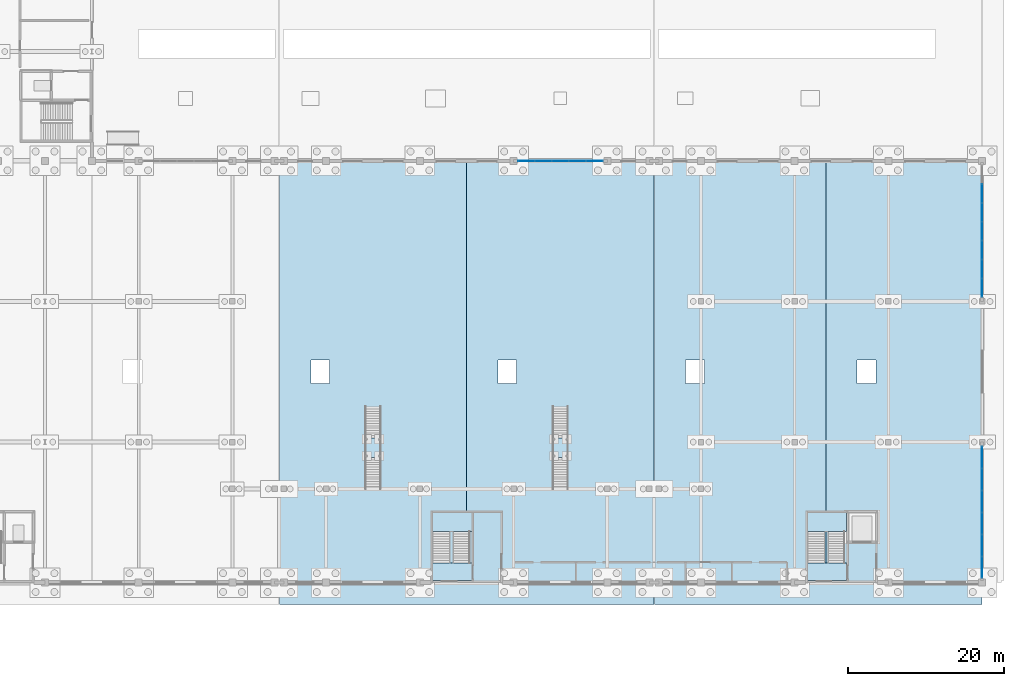
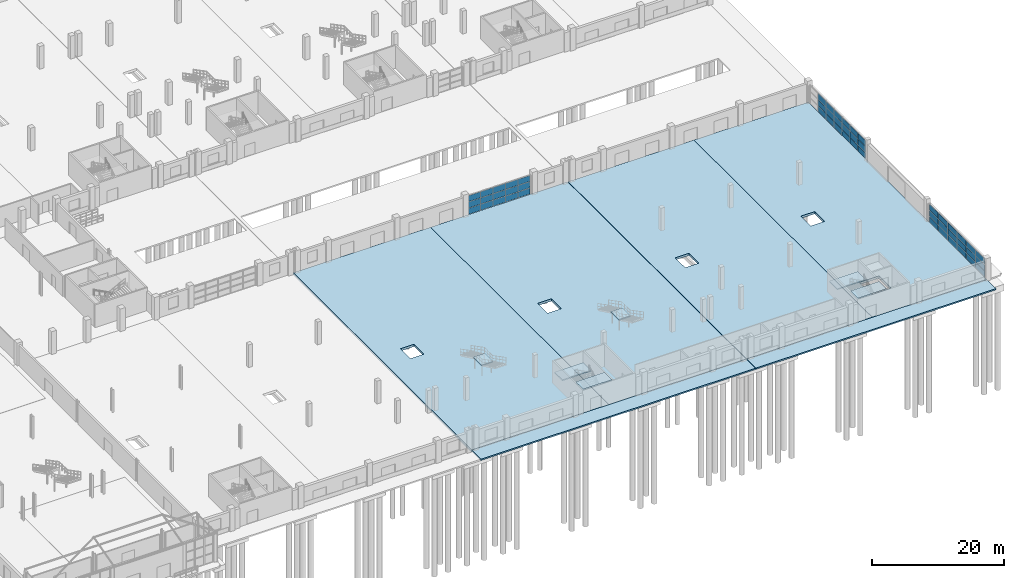
# One storey, part 49 of 77: 51 plates, 12 slabs, 7 elements without a shape of their own.
"""IFC4 building model written with IfcOpenShell, lengths in metres."""

from ifc_helpers import new_model, si_unit, direction, frame, origin, origin_2d, place, context, subcontext, project, spatial, polyline, rectangle, outline, extrude, material, layer, layer_set, type_object, element, aggregate, save


model = new_model("IFC4")

# Units and contexts
model_context = context("Model", 3, precision=1e-05, world=origin(), true_north=direction((0.0, 1.0)))
body_context = subcontext(model_context, "Body", "Model", "MODEL_VIEW")
ifc_project = project(units=[si_unit("LENGTHUNIT", "METRE"), si_unit("AREAUNIT", "SQUARE_METRE"), si_unit("VOLUMEUNIT", "CUBIC_METRE"), si_unit("PLANEANGLEUNIT", "RADIAN"), si_unit("MASSUNIT", "GRAM", prefix="KILO")], contexts=[model_context])

# Site, building, storey
site_placement = place(None, origin())
site = spatial("IfcSite", under=ifc_project, at=site_placement, CompositionType="ELEMENT")
building_placement = place(site_placement, origin())
building = spatial("IfcBuilding", under=site, at=building_placement, Name="Zilviju Railside Exhibition Hall", CompositionType="ELEMENT")
storey_placement = place(building_placement, origin())
storey = spatial("IfcBuildingStorey", under=building, at=storey_placement, Name="L01", CompositionType="ELEMENT", Elevation=0.0)

# Curtain wall, plates
ifc_material_1 = material(Name="Thermally broken aluminium-steel triple-glazed curtain wall", Category="steel")
ifc_layer_1 = layer(ifc_material_1, 0.179931640625)
ifc_layer_set_1 = layer_set([ifc_layer_1], Name="Thermally broken aluminium-steel triple-glazed curtain wall")
curtain_wall_type_1 = type_object("IfcCurtainWallType", Name="CW-BAY-03", PredefinedType="USERDEFINED", material=ifc_layer_set_1)
curtain_wall_1_placement = place(storey_placement, origin())
curtain_wall_1 = element("IfcCurtainWall", 1, at=curtain_wall_1_placement, inside=storey, type_object=curtain_wall_type_1, Name="South Hall Garden Court Curtain Wall L01 (156..168)", ObjectType="GLAZED CURTAIN WALL", PredefinedType="USERDEFINED")
ifc_material_2 = material(Name="Laminated acoustic double-glazed porch unit", Category="glass")
ifc_layer_2 = layer(ifc_material_2, 0.031982421875)
ifc_layer_set_2 = layer_set([ifc_layer_2], Name="Laminated acoustic double-glazed porch unit")
plate_type_1 = type_object("IfcPlateType", Name="CWP-IGU-32", PredefinedType="CURTAIN_PANEL", material=ifc_layer_set_2)
plate_1_placement = place(storey_placement, frame((157.655029296875, 54.0, 0.06005859375), z_axis=(0.0, 0.0, 1.0), x_axis=(1.0, 0.0, 0.0)))
plate_1 = element("IfcPlate", 2, at=plate_1_placement, type_object=plate_type_1, Name="CW-03 panel 1.1", PredefinedType="CURTAIN_PANEL", context=body_context, shape_type="SweptSolid", body=[
    extrude(rectangle(XDim=2.090087890625, YDim=0.031982421875, at=origin_2d()), origin(), (0.0, 0.0, 1.0), 1.096923828125),
])
plate_2_placement = place(storey_placement, frame((157.655029296875, 54.0, 1.217041015625), z_axis=(0.0, 0.0, 1.0), x_axis=(1.0, 0.0, 0.0)))
plate_2 = element("IfcPlate", 3, at=plate_2_placement, type_object=plate_type_1, Name="CW-03 panel 1.2", PredefinedType="CURTAIN_PANEL", context=body_context, shape_type="SweptSolid", body=[
    extrude(rectangle(XDim=2.090087890625, YDim=0.031982421875, at=origin_2d()), origin(), (0.0, 0.0, 1.0), 1.1259765625),
])
plate_3_placement = place(storey_placement, frame((157.655029296875, 54.0, 2.40283203125), z_axis=(0.0, 0.0, 1.0), x_axis=(1.0, 0.0, 0.0)))
plate_3 = element("IfcPlate", 4, at=plate_3_placement, type_object=plate_type_1, Name="CW-03 panel 1.3", PredefinedType="CURTAIN_PANEL", context=body_context, shape_type="SweptSolid", body=[
    extrude(rectangle(XDim=2.090087890625, YDim=0.031982421875, at=origin_2d()), origin(), (0.0, 0.0, 1.0), 1.096923828125),
])
plate_4_placement = place(storey_placement, frame((159.820068359375, 54.0, 0.06005859375), z_axis=(0.0, 0.0, 1.0), x_axis=(1.0, 0.0, 0.0)))
plate_4 = element("IfcPlate", 5, at=plate_4_placement, type_object=plate_type_1, Name="CW-03 panel 2.1", PredefinedType="CURTAIN_PANEL", context=body_context, shape_type="SweptSolid", body=[
    extrude(rectangle(XDim=2.1201171875, YDim=0.031982421875, at=origin_2d()), origin(), (0.0, 0.0, 1.0), 1.096923828125),
])
plate_5_placement = place(storey_placement, frame((159.820068359375, 54.0, 1.217041015625), z_axis=(0.0, 0.0, 1.0), x_axis=(1.0, 0.0, 0.0)))
plate_5 = element("IfcPlate", 6, at=plate_5_placement, type_object=plate_type_1, Name="CW-03 panel 2.2", PredefinedType="CURTAIN_PANEL", context=body_context, shape_type="SweptSolid", body=[
    extrude(rectangle(XDim=2.1201171875, YDim=0.031982421875, at=origin_2d()), origin(), (0.0, 0.0, 1.0), 1.1259765625),
])
plate_6_placement = place(storey_placement, frame((159.820068359375, 54.0, 2.40283203125), z_axis=(0.0, 0.0, 1.0), x_axis=(1.0, 0.0, 0.0)))
plate_6 = element("IfcPlate", 7, at=plate_6_placement, type_object=plate_type_1, Name="CW-03 panel 2.3", PredefinedType="CURTAIN_PANEL", context=body_context, shape_type="SweptSolid", body=[
    extrude(rectangle(XDim=2.1201171875, YDim=0.031982421875, at=origin_2d()), origin(), (0.0, 0.0, 1.0), 1.096923828125),
])
plate_7_placement = place(storey_placement, frame((162.0, 54.0, 0.06005859375), z_axis=(0.0, 0.0, 1.0), x_axis=(1.0, 0.0, 0.0)))
plate_7 = element("IfcPlate", 8, at=plate_7_placement, type_object=plate_type_1, Name="CW-03 panel 3.1", PredefinedType="CURTAIN_PANEL", context=body_context, shape_type="SweptSolid", body=[
    extrude(rectangle(XDim=2.1201171875, YDim=0.031982421875, at=origin_2d()), origin(), (0.0, 0.0, 1.0), 1.096923828125),
])
plate_8_placement = place(storey_placement, frame((162.0, 54.0, 1.217041015625), z_axis=(0.0, 0.0, 1.0), x_axis=(1.0, 0.0, 0.0)))
plate_8 = element("IfcPlate", 9, at=plate_8_placement, type_object=plate_type_1, Name="CW-03 panel 3.2", PredefinedType="CURTAIN_PANEL", context=body_context, shape_type="SweptSolid", body=[
    extrude(rectangle(XDim=2.1201171875, YDim=0.031982421875, at=origin_2d()), origin(), (0.0, 0.0, 1.0), 1.1259765625),
])
plate_9_placement = place(storey_placement, frame((162.0, 54.0, 2.40283203125), z_axis=(0.0, 0.0, 1.0), x_axis=(1.0, 0.0, 0.0)))
plate_9 = element("IfcPlate", 10, at=plate_9_placement, type_object=plate_type_1, Name="CW-03 panel 3.3", PredefinedType="CURTAIN_PANEL", context=body_context, shape_type="SweptSolid", body=[
    extrude(rectangle(XDim=2.1201171875, YDim=0.031982421875, at=origin_2d()), origin(), (0.0, 0.0, 1.0), 1.096923828125),
])
plate_10_placement = place(storey_placement, frame((164.179931640625, 54.0, 0.06005859375), z_axis=(0.0, 0.0, 1.0), x_axis=(1.0, 0.0, 0.0)))
plate_10 = element("IfcPlate", 11, at=plate_10_placement, type_object=plate_type_1, Name="CW-03 panel 4.1", PredefinedType="CURTAIN_PANEL", context=body_context, shape_type="SweptSolid", body=[
    extrude(rectangle(XDim=2.1201171875, YDim=0.031982421875, at=origin_2d()), origin(), (0.0, 0.0, 1.0), 1.096923828125),
])
plate_11_placement = place(storey_placement, frame((164.179931640625, 54.0, 1.217041015625), z_axis=(0.0, 0.0, 1.0), x_axis=(1.0, 0.0, 0.0)))
plate_11 = element("IfcPlate", 12, at=plate_11_placement, type_object=plate_type_1, Name="CW-03 panel 4.2", PredefinedType="CURTAIN_PANEL", context=body_context, shape_type="SweptSolid", body=[
    extrude(rectangle(XDim=2.1201171875, YDim=0.031982421875, at=origin_2d()), origin(), (0.0, 0.0, 1.0), 1.1259765625),
])
plate_12_placement = place(storey_placement, frame((164.179931640625, 54.0, 2.40283203125), z_axis=(0.0, 0.0, 1.0), x_axis=(1.0, 0.0, 0.0)))
plate_12 = element("IfcPlate", 13, at=plate_12_placement, type_object=plate_type_1, Name="CW-03 panel 4.3", PredefinedType="CURTAIN_PANEL", context=body_context, shape_type="SweptSolid", body=[
    extrude(rectangle(XDim=2.1201171875, YDim=0.031982421875, at=origin_2d()), origin(), (0.0, 0.0, 1.0), 1.096923828125),
])
plate_13_placement = place(storey_placement, frame((166.344970703125, 54.0, 0.06005859375), z_axis=(0.0, 0.0, 1.0), x_axis=(1.0, 0.0, 0.0)))
plate_13 = element("IfcPlate", 14, at=plate_13_placement, type_object=plate_type_1, Name="CW-03 panel 5.1", PredefinedType="CURTAIN_PANEL", context=body_context, shape_type="SweptSolid", body=[
    extrude(rectangle(XDim=2.090087890625, YDim=0.031982421875, at=origin_2d()), origin(), (0.0, 0.0, 1.0), 1.096923828125),
])
plate_14_placement = place(storey_placement, frame((166.344970703125, 54.0, 1.217041015625), z_axis=(0.0, 0.0, 1.0), x_axis=(1.0, 0.0, 0.0)))
plate_14 = element("IfcPlate", 15, at=plate_14_placement, type_object=plate_type_1, Name="CW-03 panel 5.2", PredefinedType="CURTAIN_PANEL", context=body_context, shape_type="SweptSolid", body=[
    extrude(rectangle(XDim=2.090087890625, YDim=0.031982421875, at=origin_2d()), origin(), (0.0, 0.0, 1.0), 1.1259765625),
])
plate_15_placement = place(storey_placement, frame((166.344970703125, 54.0, 2.40283203125), z_axis=(0.0, 0.0, 1.0), x_axis=(1.0, 0.0, 0.0)))
plate_15 = element("IfcPlate", 16, at=plate_15_placement, type_object=plate_type_1, Name="CW-03 panel 5.3", PredefinedType="CURTAIN_PANEL", context=body_context, shape_type="SweptSolid", body=[
    extrude(rectangle(XDim=2.090087890625, YDim=0.031982421875, at=origin_2d()), origin(), (0.0, 0.0, 1.0), 1.096923828125),
])
aggregate(curtain_wall_1, [plate_1, plate_2, plate_3, plate_4, plate_5, plate_6, plate_7, plate_8, plate_9, plate_10, plate_11, plate_12, plate_13, plate_14, plate_15])

ifc_layer_3 = layer(ifc_material_1, 0.179931640625)
ifc_layer_set_3 = layer_set([ifc_layer_3], Name="Thermally broken aluminium-steel triple-glazed curtain wall")
curtain_wall_type_2 = type_object("IfcCurtainWallType", Name="CW-BAY-04", PredefinedType="USERDEFINED", material=ifc_layer_set_3)
curtain_wall_2_placement = place(storey_placement, origin())
curtain_wall_2 = element("IfcCurtainWall", 17, at=curtain_wall_2_placement, inside=storey, type_object=curtain_wall_type_2, Name="South Hall East Glazed Gable L01 (0..18)", ObjectType="GLAZED CURTAIN WALL", PredefinedType="USERDEFINED")
ifc_material_3 = material(Name="Insulated cobalt-blue enamelled spandrel glass panel", Category="glass")
ifc_layer_4 = layer(ifc_material_3, 0.052001953125)
ifc_layer_set_4 = layer_set([ifc_layer_4], Name="Insulated cobalt-blue enamelled spandrel glass panel")
plate_type_2 = type_object("IfcPlateType", Name="CWP-SPD-52", PredefinedType="CURTAIN_PANEL", material=ifc_layer_set_4)
plate_16_placement = place(storey_placement, frame((216.0, 16.021728515625, 0.080078125), z_axis=(0.0, 0.0, 1.0), x_axis=(0.0, -1.0, 0.0)))
plate_16 = element("IfcPlate", 18, at=plate_16_placement, type_object=plate_type_2, Name="CW-04 panel 1.1", PredefinedType="CURTAIN_PANEL", context=body_context, shape_type="SweptSolid", body=[
    extrude(rectangle(XDim=2.69677734375, YDim=0.052001953125, at=origin_2d()), origin(), (0.0, 0.0, 1.0), 1.0400390625),
])
plate_17_placement = place(storey_placement, frame((216.0, 16.021728515625, 1.199951171875), z_axis=(0.0, 0.0, 1.0), x_axis=(0.0, -1.0, 0.0)))
plate_17 = element("IfcPlate", 19, at=plate_17_placement, type_object=plate_type_2, Name="CW-04 panel 1.2", PredefinedType="CURTAIN_PANEL", context=body_context, shape_type="SweptSolid", body=[
    extrude(rectangle(XDim=2.69677734375, YDim=0.052001953125, at=origin_2d()), origin(), (0.0, 0.0, 1.0), 1.080078125),
])
plate_18_placement = place(storey_placement, frame((216.0, 16.021728515625, 2.35986328125), z_axis=(0.0, 0.0, 1.0), x_axis=(0.0, -1.0, 0.0)))
plate_18 = element("IfcPlate", 20, at=plate_18_placement, type_object=plate_type_2, Name="CW-04 panel 1.3", PredefinedType="CURTAIN_PANEL", context=body_context, shape_type="SweptSolid", body=[
    extrude(rectangle(XDim=2.69677734375, YDim=0.052001953125, at=origin_2d()), origin(), (0.0, 0.0, 1.0), 1.0400390625),
])
plate_19_placement = place(storey_placement, frame((216.0, 13.22509765625, 0.080078125), z_axis=(0.0, 0.0, 1.0), x_axis=(0.0, -1.0, 0.0)))
plate_19 = element("IfcPlate", 21, at=plate_19_placement, type_object=plate_type_2, Name="CW-04 panel 2.1", PredefinedType="CURTAIN_PANEL", context=body_context, shape_type="SweptSolid", body=[
    extrude(rectangle(XDim=2.736572265625, YDim=0.052001953125, at=origin_2d()), origin(), (0.0, 0.0, 1.0), 1.0400390625),
])
plate_20_placement = place(storey_placement, frame((216.0, 13.22509765625, 1.199951171875), z_axis=(0.0, 0.0, 1.0), x_axis=(0.0, -1.0, 0.0)))
plate_20 = element("IfcPlate", 22, at=plate_20_placement, type_object=plate_type_2, Name="CW-04 panel 2.2", PredefinedType="CURTAIN_PANEL", context=body_context, shape_type="SweptSolid", body=[
    extrude(rectangle(XDim=2.736572265625, YDim=0.052001953125, at=origin_2d()), origin(), (0.0, 0.0, 1.0), 1.080078125),
])
plate_21_placement = place(storey_placement, frame((216.0, 13.22509765625, 2.35986328125), z_axis=(0.0, 0.0, 1.0), x_axis=(0.0, -1.0, 0.0)))
plate_21 = element("IfcPlate", 23, at=plate_21_placement, type_object=plate_type_2, Name="CW-04 panel 2.3", PredefinedType="CURTAIN_PANEL", context=body_context, shape_type="SweptSolid", body=[
    extrude(rectangle(XDim=2.736572265625, YDim=0.052001953125, at=origin_2d()), origin(), (0.0, 0.0, 1.0), 1.0400390625),
])
plate_22_placement = place(storey_placement, frame((216.0, 10.408447265625, 0.080078125), z_axis=(0.0, 0.0, 1.0), x_axis=(0.0, -1.0, 0.0)))
plate_22 = element("IfcPlate", 24, at=plate_22_placement, type_object=plate_type_2, Name="CW-04 panel 3.1", PredefinedType="CURTAIN_PANEL", context=body_context, shape_type="SweptSolid", body=[
    extrude(rectangle(XDim=2.736572265625, YDim=0.052001953125, at=origin_2d()), origin(), (0.0, 0.0, 1.0), 1.0400390625),
])
plate_23_placement = place(storey_placement, frame((216.0, 10.408447265625, 1.199951171875), z_axis=(0.0, 0.0, 1.0), x_axis=(0.0, -1.0, 0.0)))
plate_23 = element("IfcPlate", 25, at=plate_23_placement, type_object=plate_type_2, Name="CW-04 panel 3.2", PredefinedType="CURTAIN_PANEL", context=body_context, shape_type="SweptSolid", body=[
    extrude(rectangle(XDim=2.736572265625, YDim=0.052001953125, at=origin_2d()), origin(), (0.0, 0.0, 1.0), 1.080078125),
])
plate_24_placement = place(storey_placement, frame((216.0, 10.408447265625, 2.35986328125), z_axis=(0.0, 0.0, 1.0), x_axis=(0.0, -1.0, 0.0)))
plate_24 = element("IfcPlate", 26, at=plate_24_placement, type_object=plate_type_2, Name="CW-04 panel 3.3", PredefinedType="CURTAIN_PANEL", context=body_context, shape_type="SweptSolid", body=[
    extrude(rectangle(XDim=2.736572265625, YDim=0.052001953125, at=origin_2d()), origin(), (0.0, 0.0, 1.0), 1.0400390625),
])
plate_25_placement = place(storey_placement, frame((216.0, 7.591552734375, 0.080078125), z_axis=(0.0, 0.0, 1.0), x_axis=(0.0, -1.0, 0.0)))
plate_25 = element("IfcPlate", 27, at=plate_25_placement, type_object=plate_type_2, Name="CW-04 panel 4.1", PredefinedType="CURTAIN_PANEL", context=body_context, shape_type="SweptSolid", body=[
    extrude(rectangle(XDim=2.736572265625, YDim=0.052001953125, at=origin_2d()), origin(), (0.0, 0.0, 1.0), 1.0400390625),
])
plate_26_placement = place(storey_placement, frame((216.0, 7.591552734375, 1.199951171875), z_axis=(0.0, 0.0, 1.0), x_axis=(0.0, -1.0, 0.0)))
plate_26 = element("IfcPlate", 28, at=plate_26_placement, type_object=plate_type_2, Name="CW-04 panel 4.2", PredefinedType="CURTAIN_PANEL", context=body_context, shape_type="SweptSolid", body=[
    extrude(rectangle(XDim=2.736572265625, YDim=0.052001953125, at=origin_2d()), origin(), (0.0, 0.0, 1.0), 1.080078125),
])
plate_27_placement = place(storey_placement, frame((216.0, 7.591552734375, 2.35986328125), z_axis=(0.0, 0.0, 1.0), x_axis=(0.0, -1.0, 0.0)))
plate_27 = element("IfcPlate", 29, at=plate_27_placement, type_object=plate_type_2, Name="CW-04 panel 4.3", PredefinedType="CURTAIN_PANEL", context=body_context, shape_type="SweptSolid", body=[
    extrude(rectangle(XDim=2.736572265625, YDim=0.052001953125, at=origin_2d()), origin(), (0.0, 0.0, 1.0), 1.0400390625),
])
plate_28_placement = place(storey_placement, frame((216.0, 4.77490234375, 0.080078125), z_axis=(0.0, 0.0, 1.0), x_axis=(0.0, -1.0, 0.0)))
plate_28 = element("IfcPlate", 30, at=plate_28_placement, type_object=plate_type_2, Name="CW-04 panel 5.1", PredefinedType="CURTAIN_PANEL", context=body_context, shape_type="SweptSolid", body=[
    extrude(rectangle(XDim=2.736572265625, YDim=0.052001953125, at=origin_2d()), origin(), (0.0, 0.0, 1.0), 1.0400390625),
])
plate_29_placement = place(storey_placement, frame((216.0, 4.77490234375, 1.199951171875), z_axis=(0.0, 0.0, 1.0), x_axis=(0.0, -1.0, 0.0)))
plate_29 = element("IfcPlate", 31, at=plate_29_placement, type_object=plate_type_2, Name="CW-04 panel 5.2", PredefinedType="CURTAIN_PANEL", context=body_context, shape_type="SweptSolid", body=[
    extrude(rectangle(XDim=2.736572265625, YDim=0.052001953125, at=origin_2d()), origin(), (0.0, 0.0, 1.0), 1.080078125),
])
plate_30_placement = place(storey_placement, frame((216.0, 4.77490234375, 2.35986328125), z_axis=(0.0, 0.0, 1.0), x_axis=(0.0, -1.0, 0.0)))
plate_30 = element("IfcPlate", 32, at=plate_30_placement, type_object=plate_type_2, Name="CW-04 panel 5.3", PredefinedType="CURTAIN_PANEL", context=body_context, shape_type="SweptSolid", body=[
    extrude(rectangle(XDim=2.736572265625, YDim=0.052001953125, at=origin_2d()), origin(), (0.0, 0.0, 1.0), 1.0400390625),
])
plate_31_placement = place(storey_placement, frame((216.0, 1.978271484375, 0.080078125), z_axis=(0.0, 0.0, 1.0), x_axis=(0.0, -1.0, 0.0)))
plate_31 = element("IfcPlate", 33, at=plate_31_placement, type_object=plate_type_2, Name="CW-04 panel 6.1", PredefinedType="CURTAIN_PANEL", context=body_context, shape_type="SweptSolid", body=[
    extrude(rectangle(XDim=2.69677734375, YDim=0.052001953125, at=origin_2d()), origin(), (0.0, 0.0, 1.0), 1.0400390625),
])
plate_32_placement = place(storey_placement, frame((216.0, 1.978271484375, 1.199951171875), z_axis=(0.0, 0.0, 1.0), x_axis=(0.0, -1.0, 0.0)))
plate_32 = element("IfcPlate", 34, at=plate_32_placement, type_object=plate_type_2, Name="CW-04 panel 6.2", PredefinedType="CURTAIN_PANEL", context=body_context, shape_type="SweptSolid", body=[
    extrude(rectangle(XDim=2.69677734375, YDim=0.052001953125, at=origin_2d()), origin(), (0.0, 0.0, 1.0), 1.080078125),
])
plate_33_placement = place(storey_placement, frame((216.0, 1.978271484375, 2.35986328125), z_axis=(0.0, 0.0, 1.0), x_axis=(0.0, -1.0, 0.0)))
plate_33 = element("IfcPlate", 35, at=plate_33_placement, type_object=plate_type_2, Name="CW-04 panel 6.3", PredefinedType="CURTAIN_PANEL", context=body_context, shape_type="SweptSolid", body=[
    extrude(rectangle(XDim=2.69677734375, YDim=0.052001953125, at=origin_2d()), origin(), (0.0, 0.0, 1.0), 1.0400390625),
])
aggregate(curtain_wall_2, [plate_16, plate_17, plate_18, plate_19, plate_20, plate_21, plate_22, plate_23, plate_24, plate_25, plate_26, plate_27, plate_28, plate_29, plate_30, plate_31, plate_32, plate_33])

ifc_layer_5 = layer(ifc_material_1, 0.179931640625)
ifc_layer_set_5 = layer_set([ifc_layer_5], Name="Thermally broken aluminium-steel triple-glazed curtain wall")
curtain_wall_type_3 = type_object("IfcCurtainWallType", Name="CW-BAY-05", PredefinedType="USERDEFINED", material=ifc_layer_set_5)
curtain_wall_3_placement = place(storey_placement, origin())
curtain_wall_3 = element("IfcCurtainWall", 36, at=curtain_wall_3_placement, inside=storey, type_object=curtain_wall_type_3, Name="South Hall East Glazed Gable L01 (36..54)", ObjectType="GLAZED CURTAIN WALL", PredefinedType="USERDEFINED")
ifc_material_4 = material(Name="Insulated emerald ceramic-frit spandrel panel", Category="glass")
ifc_layer_6 = layer(ifc_material_4, 0.06396484375)
ifc_layer_set_6 = layer_set([ifc_layer_6], Name="Insulated emerald ceramic-frit spandrel panel")
plate_type_3 = type_object("IfcPlateType", Name="CWP-SPD-64", PredefinedType="CURTAIN_PANEL", material=ifc_layer_set_6)
plate_34_placement = place(storey_placement, frame((216.0, 49.82861328125, 0.07470703125), z_axis=(0.0, 0.0, 1.0), x_axis=(0.0, -1.0, 0.0)))
plate_34 = element("IfcPlate", 37, at=plate_34_placement, type_object=plate_type_3, Name="CW-05 panel 2.1", PredefinedType="CURTAIN_PANEL", context=body_context, shape_type="SweptSolid", body=[
    extrude(rectangle(XDim=2.33935546875, YDim=0.06396484375, at=origin_2d()), origin(), (0.0, 0.0, 1.0), 1.047607421875),
])
plate_35_placement = place(storey_placement, frame((216.0, 49.82861328125, 1.197509765625), z_axis=(0.0, 0.0, 1.0), x_axis=(0.0, -1.0, 0.0)))
plate_35 = element("IfcPlate", 38, at=plate_35_placement, type_object=plate_type_3, Name="CW-05 panel 2.2", PredefinedType="CURTAIN_PANEL", context=body_context, shape_type="SweptSolid", body=[
    extrude(rectangle(XDim=2.33935546875, YDim=0.06396484375, at=origin_2d()), origin(), (0.0, 0.0, 1.0), 1.0849609375),
])
plate_36_placement = place(storey_placement, frame((216.0, 49.82861328125, 2.357421875), z_axis=(0.0, 0.0, 1.0), x_axis=(0.0, -1.0, 0.0)))
plate_36 = element("IfcPlate", 39, at=plate_36_placement, type_object=plate_type_3, Name="CW-05 panel 2.3", PredefinedType="CURTAIN_PANEL", context=body_context, shape_type="SweptSolid", body=[
    extrude(rectangle(XDim=2.33935546875, YDim=0.06396484375, at=origin_2d()), origin(), (0.0, 0.0, 1.0), 1.047607421875),
])
plate_37_placement = place(storey_placement, frame((216.0, 47.414306640625, 0.07470703125), z_axis=(0.0, 0.0, 1.0), x_axis=(0.0, -1.0, 0.0)))
plate_37 = element("IfcPlate", 40, at=plate_37_placement, type_object=plate_type_3, Name="CW-05 panel 3.1", PredefinedType="CURTAIN_PANEL", context=body_context, shape_type="SweptSolid", body=[
    extrude(rectangle(XDim=2.33935546875, YDim=0.06396484375, at=origin_2d()), origin(), (0.0, 0.0, 1.0), 1.047607421875),
])
plate_38_placement = place(storey_placement, frame((216.0, 47.414306640625, 1.197509765625), z_axis=(0.0, 0.0, 1.0), x_axis=(0.0, -1.0, 0.0)))
plate_38 = element("IfcPlate", 41, at=plate_38_placement, type_object=plate_type_3, Name="CW-05 panel 3.2", PredefinedType="CURTAIN_PANEL", context=body_context, shape_type="SweptSolid", body=[
    extrude(rectangle(XDim=2.33935546875, YDim=0.06396484375, at=origin_2d()), origin(), (0.0, 0.0, 1.0), 1.0849609375),
])
plate_39_placement = place(storey_placement, frame((216.0, 47.414306640625, 2.357421875), z_axis=(0.0, 0.0, 1.0), x_axis=(0.0, -1.0, 0.0)))
plate_39 = element("IfcPlate", 42, at=plate_39_placement, type_object=plate_type_3, Name="CW-05 panel 3.3", PredefinedType="CURTAIN_PANEL", context=body_context, shape_type="SweptSolid", body=[
    extrude(rectangle(XDim=2.33935546875, YDim=0.06396484375, at=origin_2d()), origin(), (0.0, 0.0, 1.0), 1.047607421875),
])
plate_40_placement = place(storey_placement, frame((216.0, 45.0, 0.07470703125), z_axis=(0.0, 0.0, 1.0), x_axis=(0.0, -1.0, 0.0)))
plate_40 = element("IfcPlate", 43, at=plate_40_placement, type_object=plate_type_3, Name="CW-05 panel 4.1", PredefinedType="CURTAIN_PANEL", context=body_context, shape_type="SweptSolid", body=[
    extrude(rectangle(XDim=2.33935546875, YDim=0.06396484375, at=origin_2d()), origin(), (0.0, 0.0, 1.0), 1.047607421875),
])
plate_41_placement = place(storey_placement, frame((216.0, 45.0, 1.197509765625), z_axis=(0.0, 0.0, 1.0), x_axis=(0.0, -1.0, 0.0)))
plate_41 = element("IfcPlate", 44, at=plate_41_placement, type_object=plate_type_3, Name="CW-05 panel 4.2", PredefinedType="CURTAIN_PANEL", context=body_context, shape_type="SweptSolid", body=[
    extrude(rectangle(XDim=2.33935546875, YDim=0.06396484375, at=origin_2d()), origin(), (0.0, 0.0, 1.0), 1.0849609375),
])
plate_42_placement = place(storey_placement, frame((216.0, 45.0, 2.357421875), z_axis=(0.0, 0.0, 1.0), x_axis=(0.0, -1.0, 0.0)))
plate_42 = element("IfcPlate", 45, at=plate_42_placement, type_object=plate_type_3, Name="CW-05 panel 4.3", PredefinedType="CURTAIN_PANEL", context=body_context, shape_type="SweptSolid", body=[
    extrude(rectangle(XDim=2.33935546875, YDim=0.06396484375, at=origin_2d()), origin(), (0.0, 0.0, 1.0), 1.047607421875),
])
plate_43_placement = place(storey_placement, frame((216.0, 42.585693359375, 0.07470703125), z_axis=(0.0, 0.0, 1.0), x_axis=(0.0, -1.0, 0.0)))
plate_43 = element("IfcPlate", 46, at=plate_43_placement, type_object=plate_type_3, Name="CW-05 panel 5.1", PredefinedType="CURTAIN_PANEL", context=body_context, shape_type="SweptSolid", body=[
    extrude(rectangle(XDim=2.33935546875, YDim=0.06396484375, at=origin_2d()), origin(), (0.0, 0.0, 1.0), 1.047607421875),
])
plate_44_placement = place(storey_placement, frame((216.0, 42.585693359375, 1.197509765625), z_axis=(0.0, 0.0, 1.0), x_axis=(0.0, -1.0, 0.0)))
plate_44 = element("IfcPlate", 47, at=plate_44_placement, type_object=plate_type_3, Name="CW-05 panel 5.2", PredefinedType="CURTAIN_PANEL", context=body_context, shape_type="SweptSolid", body=[
    extrude(rectangle(XDim=2.33935546875, YDim=0.06396484375, at=origin_2d()), origin(), (0.0, 0.0, 1.0), 1.0849609375),
])
plate_45_placement = place(storey_placement, frame((216.0, 42.585693359375, 2.357421875), z_axis=(0.0, 0.0, 1.0), x_axis=(0.0, -1.0, 0.0)))
plate_45 = element("IfcPlate", 48, at=plate_45_placement, type_object=plate_type_3, Name="CW-05 panel 5.3", PredefinedType="CURTAIN_PANEL", context=body_context, shape_type="SweptSolid", body=[
    extrude(rectangle(XDim=2.33935546875, YDim=0.06396484375, at=origin_2d()), origin(), (0.0, 0.0, 1.0), 1.047607421875),
])
plate_46_placement = place(storey_placement, frame((216.0, 40.17138671875, 0.07470703125), z_axis=(0.0, 0.0, 1.0), x_axis=(0.0, -1.0, 0.0)))
plate_46 = element("IfcPlate", 49, at=plate_46_placement, type_object=plate_type_3, Name="CW-05 panel 6.1", PredefinedType="CURTAIN_PANEL", context=body_context, shape_type="SweptSolid", body=[
    extrude(rectangle(XDim=2.33935546875, YDim=0.06396484375, at=origin_2d()), origin(), (0.0, 0.0, 1.0), 1.047607421875),
])
plate_47_placement = place(storey_placement, frame((216.0, 40.17138671875, 1.197509765625), z_axis=(0.0, 0.0, 1.0), x_axis=(0.0, -1.0, 0.0)))
plate_47 = element("IfcPlate", 50, at=plate_47_placement, type_object=plate_type_3, Name="CW-05 panel 6.2", PredefinedType="CURTAIN_PANEL", context=body_context, shape_type="SweptSolid", body=[
    extrude(rectangle(XDim=2.33935546875, YDim=0.06396484375, at=origin_2d()), origin(), (0.0, 0.0, 1.0), 1.0849609375),
])
plate_48_placement = place(storey_placement, frame((216.0, 40.17138671875, 2.357421875), z_axis=(0.0, 0.0, 1.0), x_axis=(0.0, -1.0, 0.0)))
plate_48 = element("IfcPlate", 51, at=plate_48_placement, type_object=plate_type_3, Name="CW-05 panel 6.3", PredefinedType="CURTAIN_PANEL", context=body_context, shape_type="SweptSolid", body=[
    extrude(rectangle(XDim=2.33935546875, YDim=0.06396484375, at=origin_2d()), origin(), (0.0, 0.0, 1.0), 1.047607421875),
])
plate_49_placement = place(storey_placement, frame((216.0, 37.77587890625, 0.07470703125), z_axis=(0.0, 0.0, 1.0), x_axis=(0.0, -1.0, 0.0)))
plate_49 = element("IfcPlate", 52, at=plate_49_placement, type_object=plate_type_3, Name="CW-05 panel 7.1", PredefinedType="CURTAIN_PANEL", context=body_context, shape_type="SweptSolid", body=[
    extrude(rectangle(XDim=2.3017578125, YDim=0.06396484375, at=origin_2d()), origin(), (0.0, 0.0, 1.0), 1.047607421875),
])
plate_50_placement = place(storey_placement, frame((216.0, 37.77587890625, 1.197509765625), z_axis=(0.0, 0.0, 1.0), x_axis=(0.0, -1.0, 0.0)))
plate_50 = element("IfcPlate", 53, at=plate_50_placement, type_object=plate_type_3, Name="CW-05 panel 7.2", PredefinedType="CURTAIN_PANEL", context=body_context, shape_type="SweptSolid", body=[
    extrude(rectangle(XDim=2.3017578125, YDim=0.06396484375, at=origin_2d()), origin(), (0.0, 0.0, 1.0), 1.0849609375),
])
plate_51_placement = place(storey_placement, frame((216.0, 37.77587890625, 2.357421875), z_axis=(0.0, 0.0, 1.0), x_axis=(0.0, -1.0, 0.0)))
plate_51 = element("IfcPlate", 54, at=plate_51_placement, type_object=plate_type_3, Name="CW-05 panel 7.3", PredefinedType="CURTAIN_PANEL", context=body_context, shape_type="SweptSolid", body=[
    extrude(rectangle(XDim=2.3017578125, YDim=0.06396484375, at=origin_2d()), origin(), (0.0, 0.0, 1.0), 1.047607421875),
])
aggregate(curtain_wall_3, [plate_34, plate_35, plate_36, plate_37, plate_38, plate_39, plate_40, plate_41, plate_42, plate_43, plate_44, plate_45, plate_46, plate_47, plate_48, plate_49, plate_50, plate_51])

# Slabs
ifc_material_5 = material(Name="Concrete C40/50", Category="concrete")
ifc_layer_7 = layer(ifc_material_5, 0.25)
ifc_layer_set_7 = layer_set([ifc_layer_7], Name="Concrete C40/50")
slab_type_1 = type_object("IfcSlabType", Name="SL-BASE-250-EXT", PredefinedType="BASESLAB", material=ifc_layer_set_7)
slab_1_placement = place(storey_placement, frame((0.0, 0.0, -0.25)))
element("IfcSlab", 55, at=slab_1_placement, inside=storey, type_object=slab_type_1, Name="South Exhibition Exit Apron Mid", PredefinedType="BASESLAB", context=body_context, shape_type="SweptSolid", body=[
    extrude(outline(polyline([(126.030029296875, -2.800048828125), (173.969970703125, -2.800048828125), (173.969970703125, 0.0), (126.030029296875, 0.0), (126.030029296875, -2.800048828125)])), origin(), (0.0, 0.0, 1.0), 0.25),
])
slab_2_placement = place(storey_placement, frame((0.0, 0.0, -0.25)))
element("IfcSlab", 56, at=slab_2_placement, inside=storey, type_object=slab_type_1, Name="South Exhibition Exit Apron East", PredefinedType="BASESLAB", context=body_context, shape_type="SweptSolid", body=[
    extrude(outline(polyline([(174.030029296875, -2.800048828125), (216.0, -2.800048828125), (216.0, 0.0), (174.030029296875, 0.0), (174.030029296875, -2.800048828125)])), origin(), (0.0, 0.0, 1.0), 0.25),
])
ifc_layer_8 = layer(ifc_material_5, 0.419921875)
ifc_layer_set_8 = layer_set([ifc_layer_8], Name="Concrete C40/50")
slab_type_2 = type_object("IfcSlabType", Name="SL-BASE-420", PredefinedType="BASESLAB", material=ifc_layer_set_8)
slab_3_placement = place(storey_placement, frame((0.0, 0.0, -0.419921875)))
element("IfcSlab", 57, at=slab_3_placement, inside=storey, type_object=slab_type_2, Name="South Hall Base Slab Panel 3", PredefinedType="BASESLAB", context=body_context, shape_type="SweptSolid", body=[
    extrude(outline(polyline([(126.030029296875, 0.0), (150.0, 0.0), (150.0, 54.0), (126.030029296875, 54.0), (126.030029296875, 0.0)]), holes=[polyline([(130.030029296875, 25.5), (132.429931640625, 25.5), (132.429931640625, 28.5), (130.030029296875, 28.5), (130.030029296875, 25.5)])]), origin(), (0.0, 0.0, 1.0), 0.419921875),
])
slab_4_placement = place(storey_placement, frame((0.0, 0.0, -0.419921875)))
element("IfcSlab", 58, at=slab_4_placement, inside=storey, type_object=slab_type_2, Name="South Hall Base Slab Panel 4", PredefinedType="BASESLAB", context=body_context, shape_type="SweptSolid", body=[
    extrude(outline(polyline([(150.0, 0.0), (173.969970703125, 0.0), (173.969970703125, 54.0), (150.0, 54.0), (150.0, 0.0)]), holes=[polyline([(154.0, 25.5), (156.39990234375, 25.5), (156.39990234375, 28.5), (154.0, 28.5), (154.0, 25.5)])]), origin(), (0.0, 0.0, 1.0), 0.419921875),
])
slab_5_placement = place(storey_placement, frame((0.0, 0.0, -0.419921875)))
element("IfcSlab", 59, at=slab_5_placement, inside=storey, type_object=slab_type_2, Name="South Hall Base Slab Panel 5", PredefinedType="BASESLAB", context=body_context, shape_type="SweptSolid", body=[
    extrude(outline(polyline([(174.030029296875, 0.0), (196.0, 0.0), (196.0, 54.0), (174.030029296875, 54.0), (174.030029296875, 0.0)]), holes=[polyline([(178.030029296875, 25.5), (180.429931640625, 25.5), (180.429931640625, 28.5), (178.030029296875, 28.5), (178.030029296875, 25.5)])]), origin(), (0.0, 0.0, 1.0), 0.419921875),
])
slab_6_placement = place(storey_placement, frame((0.0, 0.0, -0.419921875)))
element("IfcSlab", 60, at=slab_6_placement, inside=storey, type_object=slab_type_2, Name="South Hall Base Slab Panel 6", PredefinedType="BASESLAB", context=body_context, shape_type="SweptSolid", body=[
    extrude(outline(polyline([(196.0, 0.0), (216.0, 0.0), (216.0, 54.0), (196.0, 54.0), (196.0, 0.0)]), holes=[polyline([(200.0, 25.5), (202.39990234375, 25.5), (202.39990234375, 28.5), (200.0, 28.5), (200.0, 25.5)]), polyline([(198.89990234375, 5.300048828125), (202.35009765625, 5.300048828125), (202.35009765625, 8.949951171875), (198.89990234375, 8.949951171875), (198.89990234375, 5.300048828125)])]), origin(), (0.0, 0.0, 1.0), 0.419921875),
])

# Stair, slabs
ifc_material_6 = material(Name="Concrete C35/45", Category="concrete")
stair_type_1 = type_object("IfcStairType", Name="STAIR-ST-B", PredefinedType="HALF_TURN_STAIR", material=ifc_material_6)
stair_1_placement = place(storey_placement, origin())
stair_1 = element("IfcStair", 61, at=stair_1_placement, inside=storey, type_object=stair_type_1, Name="Core C02 South Hall Mid Exit Stair L01", PredefinedType="HALF_TURN_STAIR")
ifc_layer_9 = layer(ifc_material_6, 0.199951171875)
ifc_layer_set_9 = layer_set([ifc_layer_9], Name="Concrete C35/45")
slab_type_3 = type_object("IfcSlabType", Name="SL-LAND-200", PredefinedType="LANDING", material=ifc_layer_set_9)
slab_7_placement = place(storey_placement, frame((0.0, 0.0, 1.89990234375)))
slab_7 = element("IfcSlab", 62, at=slab_7_placement, type_object=slab_type_3, Name="ST-02 landing 1", PredefinedType="LANDING", context=body_context, shape_type="SweptSolid", body=[
    extrude(outline(polyline([(145.64990234375, 6.530029296875), (150.64990234375, 6.530029296875), (150.64990234375, 8.949951171875), (145.64990234375, 8.949951171875), (145.64990234375, 6.530029296875)])), origin(), (0.0, 0.0, 1.0), 0.2001953125),
])
slab_8_placement = place(storey_placement, frame((0.0, 0.0, 4.0)))
slab_8 = element("IfcSlab", 63, at=slab_8_placement, type_object=slab_type_3, Name="ST-02 landing 2", PredefinedType="LANDING", context=body_context, shape_type="SweptSolid", body=[
    extrude(outline(polyline([(145.64990234375, 0.25), (150.64990234375, 0.25), (150.64990234375, 2.5), (145.64990234375, 2.5), (145.64990234375, 0.25)])), origin(), (0.0, 0.0, 1.0), 0.199951171875),
])
aggregate(stair_1, [slab_7, slab_8])

stair_type_2 = type_object("IfcStairType", Name="STAIR-ST-C", PredefinedType="HALF_TURN_STAIR", material=ifc_material_6)
stair_2_placement = place(storey_placement, origin())
stair_2 = element("IfcStair", 64, at=stair_2_placement, inside=storey, type_object=stair_type_2, Name="Core C03 South Hall East Exit Stair L01", PredefinedType="HALF_TURN_STAIR")
slab_9_placement = place(storey_placement, frame((0.0, 0.0, 1.89990234375)))
slab_9 = element("IfcSlab", 65, at=slab_9_placement, type_object=slab_type_3, Name="ST-03 landing 1", PredefinedType="LANDING", context=body_context, shape_type="SweptSolid", body=[
    extrude(outline(polyline([(193.64990234375, 6.530029296875), (198.64990234375, 6.530029296875), (198.64990234375, 8.949951171875), (193.64990234375, 8.949951171875), (193.64990234375, 6.530029296875)])), origin(), (0.0, 0.0, 1.0), 0.2001953125),
])
slab_10_placement = place(storey_placement, frame((0.0, 0.0, 4.0)))
slab_10 = element("IfcSlab", 66, at=slab_10_placement, type_object=slab_type_3, Name="ST-03 landing 2", PredefinedType="LANDING", context=body_context, shape_type="SweptSolid", body=[
    extrude(outline(polyline([(193.64990234375, 0.25), (198.64990234375, 0.25), (198.64990234375, 2.5), (193.64990234375, 2.5), (193.64990234375, 0.25)])), origin(), (0.0, 0.0, 1.0), 0.199951171875),
])
aggregate(stair_2, [slab_9, slab_10])

# Stair, slab
stair_type_3 = type_object("IfcStairType", Name="STAIR-ST-FEAT2", PredefinedType="STRAIGHT_RUN_STAIR", material=ifc_material_6)
stair_3_placement = place(storey_placement, origin())
stair_3 = element("IfcStair", 67, at=stair_3_placement, inside=storey, type_object=stair_type_3, Name="Grand Straight Feature Stair ST-20", PredefinedType="STRAIGHT_RUN_STAIR")
slab_11_placement = place(storey_placement, frame((0.0, 0.0, 1.89990234375)))
slab_11 = element("IfcSlab", 68, at=slab_11_placement, type_object=slab_type_3, Name="ST-20 landing 1", PredefinedType="LANDING", context=body_context, shape_type="SweptSolid", body=[
    extrude(outline(polyline([(137.0, 16.030029296875), (139.0, 16.030029296875), (139.0, 18.530029296875), (137.0, 18.530029296875), (137.0, 16.030029296875)])), origin(), (0.0, 0.0, 1.0), 0.2001953125),
])
aggregate(stair_3, [slab_11])

stair_4_placement = place(storey_placement, origin())
stair_4 = element("IfcStair", 69, at=stair_4_placement, inside=storey, type_object=stair_type_3, Name="Grand Straight Feature Stair ST-21", PredefinedType="STRAIGHT_RUN_STAIR")
slab_12_placement = place(storey_placement, frame((0.0, 0.0, 1.89990234375)))
slab_12 = element("IfcSlab", 70, at=slab_12_placement, type_object=slab_type_3, Name="ST-21 landing 1", PredefinedType="LANDING", context=body_context, shape_type="SweptSolid", body=[
    extrude(outline(polyline([(161.0, 16.030029296875), (163.0, 16.030029296875), (163.0, 18.530029296875), (161.0, 18.530029296875), (161.0, 16.030029296875)])), origin(), (0.0, 0.0, 1.0), 0.2001953125),
])
aggregate(stair_4, [slab_12])

save(model, "model.ifc")
